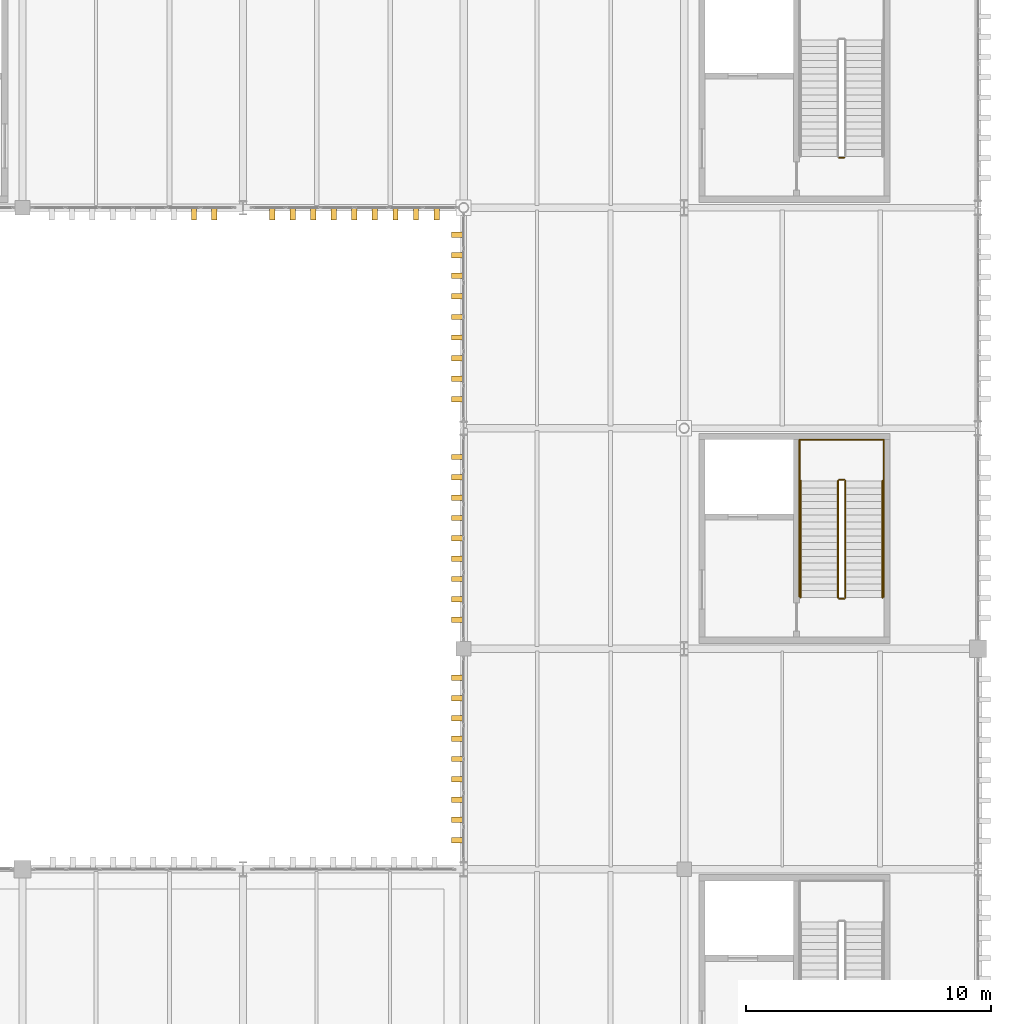
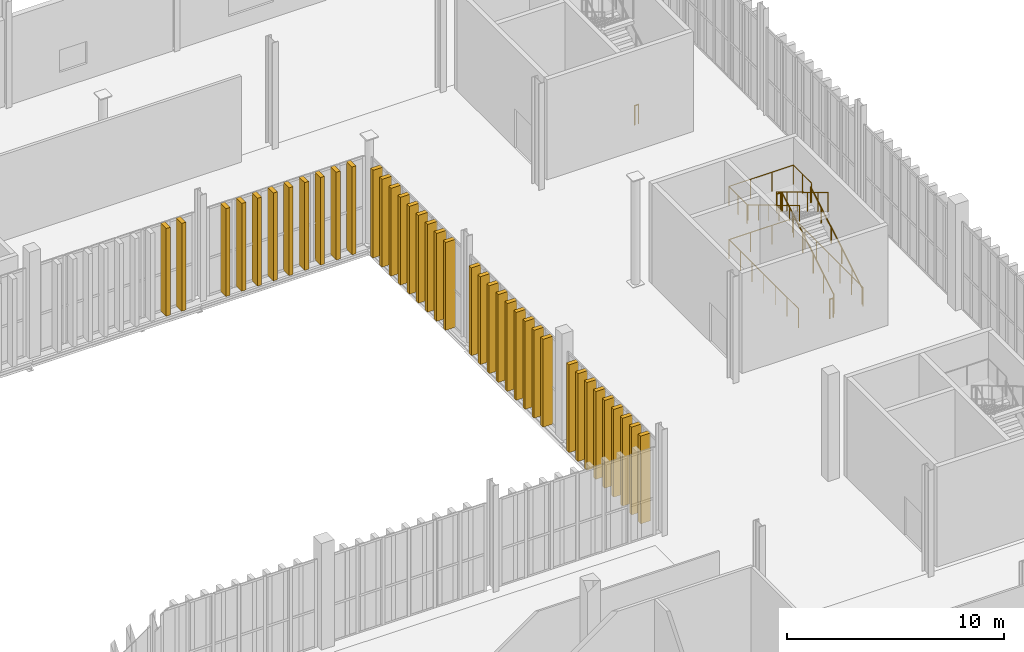
# One storey, part 205 of 211: 38 shading devices, 13 railings.
"""IFC4 building model written with IfcOpenShell, lengths in metres."""

import ifcopenshell
import ifcopenshell.guid

model = None  # the IFC model being written
_history = None  # IfcOwnerHistory: only IFC2X3 demands one
_inside = {}  # id of a spatial element -> (the spatial element, [elements in it])
_under = {}  # id of a project, library or spatial element -> (it, [spatial elements below it])
_declared = {}  # id of a project -> (the project, [libraries it declares])
_typed = {}  # id of a type object -> (the type object, [elements of that type])
_made_of = {}  # id of a material, layer set ... -> (it, [elements and type objects made of it])


def new_model(schema):
    """Start an empty IFC model of exactly this schema.

    Asked for "IFC4X3", IfcOpenShell would pick the latest addendum, in which some entities
    have other attributes; the version numbers below select the first issue.
    IFC2X3 requires an IfcOwnerHistory on every rooted entity: one is made here for all.
    """
    global model, _history
    if schema == "IFC4X3":
        model = ifcopenshell.file(schema_version=(4, 3, 0, 0))
    else:
        model = ifcopenshell.file(schema=schema)
    _inside.clear()
    _under.clear()
    _declared.clear()
    _typed.clear()
    _made_of.clear()
    _history = None
    if model.schema == "IFC2X3":
        org = make("IfcOrganization", Name="unknown")
        user = make(
            "IfcPersonAndOrganization",
            ThePerson=make("IfcPerson", FamilyName="unknown"),
            TheOrganization=org,
        )
        app = make(
            "IfcApplication",
            ApplicationDeveloper=org,
            Version="unknown",
            ApplicationFullName="unknown",
            ApplicationIdentifier="unknown",
        )
        _history = make(
            "IfcOwnerHistory",
            OwningUser=user,
            OwningApplication=app,
            ChangeAction="ADDED",
            CreationDate=0,
        )
    return model


def make(cls, **values):
    """One entity of the class cls with the attributes given. An attribute that is None is left unset."""
    return model.create_entity(
        cls, **{name: value for name, value in values.items() if value is not None}
    )


def rooted(cls, **values):
    """An entity with a GlobalId (a new one), such as an element, a storey or a relation."""
    return make(cls, GlobalId=ifcopenshell.guid.new(), OwnerHistory=_history, **values)


def si_unit(unit_type, name, prefix=None):
    """IfcSIUnit, for example si_unit("LENGTHUNIT", "METRE", prefix="MILLI")."""
    return make("IfcSIUnit", UnitType=unit_type, Prefix=prefix, Name=name)


def assignment(units):
    """IfcUnitAssignment: the units of a project."""
    return None if units is None else make("IfcUnitAssignment", Units=units)


def point(xyz):
    """IfcCartesianPoint."""
    return None if xyz is None else make("IfcCartesianPoint", Coordinates=xyz)


def direction(xyz):
    """IfcDirection."""
    return None if xyz is None else make("IfcDirection", DirectionRatios=xyz)


def frame(location, z_axis=None, x_axis=None):
    """IfcAxis2Placement3D, a coordinate frame: its origin and axes. An axis left out is left unset."""
    return make(
        "IfcAxis2Placement3D",
        Location=point(location),
        Axis=direction(z_axis),
        RefDirection=direction(x_axis),
    )


def frame_2d(location, x_axis=None):
    """IfcAxis2Placement2D, a coordinate frame in the plane: its origin and x axis."""
    return make(
        "IfcAxis2Placement2D", Location=point(location), RefDirection=direction(x_axis)
    )


def origin():
    """The frame at (0, 0, 0) with its axes left unset."""
    return frame((0.0, 0.0, 0.0))


def origin_2d():
    """The frame at (0, 0) in the plane with its x axis left unset."""
    return frame_2d((0.0, 0.0))


def place(relative_to, where):
    """IfcLocalPlacement: puts the frame where relative to a parent placement (None: the world)."""
    return make(
        "IfcLocalPlacement", PlacementRelTo=relative_to, RelativePlacement=where
    )


def context(
    kind, dimensions, precision=None, world=None, true_north=None, identifier=None
):
    """IfcGeometricRepresentationContext, for example the 3D "Model" context."""
    return make(
        "IfcGeometricRepresentationContext",
        ContextIdentifier=identifier,
        ContextType=kind,
        CoordinateSpaceDimension=dimensions,
        Precision=precision,
        WorldCoordinateSystem=world,
        TrueNorth=true_north,
    )


def subcontext(parent, identifier, kind, view, scale=None):
    """IfcGeometricRepresentationSubContext, for example "Body" below "Model"."""
    return make(
        "IfcGeometricRepresentationSubContext",
        ContextIdentifier=identifier,
        ContextType=kind,
        ParentContext=parent,
        TargetScale=scale,
        TargetView=view,
    )


def project(units=None, contexts=None):
    """IfcProject with its units and contexts."""
    return rooted(
        "IfcProject",
        Name="project",
        RepresentationContexts=contexts,
        UnitsInContext=assignment(units),
    )


def spatial(cls, under=None, at=None, **own):
    """A site, building, storey or space (cls), placed at a placement, below another one or the project."""
    s = rooted(cls, ObjectPlacement=at, **own)
    if under is not None:
        _under.setdefault(under.id(), (under, []))[1].append(s)
    return s


def profile(cls, at=None, kind="AREA", **sizes):
    """A parametric profile (cls). Its sizes go by their IFC names, for example OverallWidth=200.0."""
    return make(cls, ProfileType=kind, Position=at, **sizes)


def rectangle(**sizes):
    """IfcRectangleProfileDef."""
    return profile("IfcRectangleProfileDef", **sizes)


def circle(**sizes):
    """IfcCircleProfileDef."""
    return profile("IfcCircleProfileDef", **sizes)


def extrude(swept, where, along, depth):
    """IfcExtrudedAreaSolid: the profile swept, set in the frame where, extruded along a direction by depth."""
    return make(
        "IfcExtrudedAreaSolid",
        SweptArea=swept,
        Position=where,
        ExtrudedDirection=direction(along),
        Depth=depth,
    )


def shape(context_of_items, identifier, shape_type, items):
    """IfcShapeRepresentation: the items that make up one representation, for example the "Body"."""
    return make(
        "IfcShapeRepresentation",
        ContextOfItems=context_of_items,
        RepresentationIdentifier=identifier,
        RepresentationType=shape_type,
        Items=items,
    )


def material(Name=None, Category=None):
    """IfcMaterial."""
    return make("IfcMaterial", Name=Name, Category=Category)


def made_of(thing, what):
    """Note that an element or type object is made of a material, layer set ...; save() writes the relation."""
    if what is not None:
        _made_of.setdefault(what.id(), (what, []))[1].append(thing)
    return thing


def type_object(cls, material=None, **own):
    """A type object (cls), such as IfcWallType, which elements share."""
    return made_of(rooted(cls, **own), material)


def element(
    cls,
    number,
    at=None,
    inside=None,
    cuts=None,
    type_object=None,
    material=None,
    context=None,
    identifier="Body",
    shape_type=None,
    held_by="IfcProductDefinitionShape",
    body=None,
    shapes=None,
    **own,
):
    """One element of the class cls, such as IfcWall. Its Tag is "e" and its number.

    at: its placement. inside: the storey or other place that contains it. cuts: it is an
    opening in that element (IfcRelVoidsElement). A single representation is given by context,
    identifier, shape_type and body (its items); several are given by shapes. held_by: the class
    of the entity that holds the representations. save() writes the other relations.
    """
    e = rooted(cls, Tag="e%d" % number, ObjectPlacement=at, **own)
    if body is not None:
        shapes = [shape(context, identifier, shape_type, body)]
    if shapes is not None:
        e.Representation = make(held_by, Representations=shapes)
    if inside is not None:
        _inside.setdefault(inside.id(), (inside, []))[1].append(e)
    if cuts is not None:
        rooted(
            "IfcRelVoidsElement", RelatingBuildingElement=cuts, RelatedOpeningElement=e
        )
    if type_object is not None:
        _typed.setdefault(type_object.id(), (type_object, []))[1].append(e)
    return made_of(e, material)


def aggregate(whole, parts):
    """IfcRelAggregates: a whole, such as a stair, and the parts it consists of."""
    return rooted("IfcRelAggregates", RelatingObject=whole, RelatedObjects=parts)


def save(model, path):
    """Write the relations noted so far, then the file.

    IfcRelAggregates (storeys below a building ...), IfcRelContainedInSpatialStructure (elements
    in a storey), IfcRelDefinesByType, IfcRelAssociatesMaterial and IfcRelDeclares: one each for
    every whole, place, type object, material and project.
    """
    for whole, parts in _under.values():
        aggregate(whole, parts)
    for where, things in _inside.values():
        rooted(
            "IfcRelContainedInSpatialStructure",
            RelatedElements=things,
            RelatingStructure=where,
        )
    for kind, things in _typed.values():
        rooted("IfcRelDefinesByType", RelatedObjects=things, RelatingType=kind)
    for what, things in _made_of.values():
        rooted("IfcRelAssociatesMaterial", RelatedObjects=things, RelatingMaterial=what)
    for by, libraries in _declared.values():
        rooted("IfcRelDeclares", RelatingContext=by, RelatedDefinitions=libraries)
    model.write(path)


model = new_model("IFC4")

# Units and contexts
model_context = context("Model", 3, precision=1e-05, world=origin(), true_north=direction((0.0, 1.0)))
body_context = subcontext(model_context, "Body", "Model", "MODEL_VIEW")
ifc_project = project(units=[si_unit("LENGTHUNIT", "METRE"), si_unit("AREAUNIT", "SQUARE_METRE"), si_unit("VOLUMEUNIT", "CUBIC_METRE"), si_unit("PLANEANGLEUNIT", "RADIAN"), si_unit("MASSUNIT", "GRAM", prefix="KILO")], contexts=[model_context])

# Site, building, storey
site_placement = place(None, origin())
site = spatial("IfcSite", under=ifc_project, at=site_placement, CompositionType="ELEMENT")
building_placement = place(site_placement, origin())
building = spatial("IfcBuilding", under=site, at=building_placement, Name="Barlavento Convention Centre", CompositionType="ELEMENT")
storey_placement = place(building_placement, frame((0.0, 0.0, 6.0)))
storey = spatial("IfcBuildingStorey", under=building, at=storey_placement, Name="L01", CompositionType="ELEMENT", Elevation=6.0)

# Railings
ifc_material_1 = material(Name="Stainless steel and laminated glass balustrade", Category="steel")
railing_type_1 = type_object("IfcRailingType", Name="ARC-RAL-BAL-1100", PredefinedType="BALUSTRADE", material=ifc_material_1)
railing_1_placement = place(storey_placement, frame((186.580078125, 74.090087890625, 0.166748046875)))
element("IfcRailing", 1, at=railing_1_placement, inside=storey, type_object=railing_type_1, Name="L01 ST07 stair guard 1", PredefinedType="BALUSTRADE", context=body_context, shape_type="SweptSolid", body=[
    extrude(circle(Radius=0.02392578125, at=origin_2d()), frame((0.0, 0.0, 1.076171875), z_axis=(0.0, 0.859299802514, 0.511472237174), x_axis=(-1.0, 0.0, 0.0)), (0.0, 0.0, 1.0), 5.539306640625),
    extrude(circle(Radius=0.02099609375, at=origin_2d()), origin(), (0.0, 0.0, 1.0), 1.052001953125),
    extrude(circle(Radius=0.02099609375, at=origin_2d()), frame((0.0, 0.951904296875, 0.566650390625)), (0.0, 0.0, 1.0), 1.052001953125),
    extrude(circle(Radius=0.02099609375, at=origin_2d()), frame((0.0, 1.904052734375, 1.13330078125)), (0.0, 0.0, 1.0), 1.052001953125),
    extrude(circle(Radius=0.02099609375, at=origin_2d()), frame((0.0, 2.85595703125, 1.699951171875)), (0.0, 0.0, 1.0), 1.052001953125),
    extrude(circle(Radius=0.02099609375, at=origin_2d()), frame((0.0, 3.80810546875, 2.2666015625)), (0.0, 0.0, 1.0), 1.052001953125),
    extrude(circle(Radius=0.02099609375, at=origin_2d()), frame((0.0, 4.760009765625, 2.833251953125)), (0.0, 0.0, 1.0), 1.052001953125),
])
railing_2_placement = place(storey_placement, frame((186.530029296875, 78.89990234375, 3.0)))
element("IfcRailing", 2, at=railing_2_placement, inside=storey, type_object=railing_type_1, Name="L01 ST07 stair guard 2", PredefinedType="BALUSTRADE", context=body_context, shape_type="SweptSolid", body=[
    extrude(circle(Radius=0.02392578125, at=origin_2d()), frame((0.0, 0.0, 1.076171875), z_axis=(-1.0, 0.0, 0.0), x_axis=(0.0, -1.0, 0.0)), (0.0, 0.0, 1.0), 0.199951171875),
    extrude(circle(Radius=0.02099609375, at=origin_2d()), origin(), (0.0, 0.0, 1.0), 1.052001953125),
    extrude(circle(Radius=0.02099609375, at=origin_2d()), frame((-0.199951171875, 0.0, 0.0)), (0.0, 0.0, 1.0), 1.052001953125),
])
railing_3_placement = place(storey_placement, frame((186.280029296875, 78.85009765625, 3.166748046875)))
element("IfcRailing", 3, at=railing_3_placement, inside=storey, type_object=railing_type_1, Name="L01 ST07 stair guard 3", PredefinedType="BALUSTRADE", context=body_context, shape_type="SweptSolid", body=[
    extrude(circle(Radius=0.02392578125, at=origin_2d()), frame((0.0, 0.0, 1.076171875), z_axis=(0.0, -0.859299802514, 0.511472237174), x_axis=(1.0, 0.0, 0.0)), (0.0, 0.0, 1.0), 5.539306640625),
    extrude(circle(Radius=0.02099609375, at=origin_2d()), origin(), (0.0, 0.0, 1.0), 1.052001953125),
    extrude(circle(Radius=0.02099609375, at=origin_2d()), frame((0.0, -0.951904296875, 0.566650390625)), (0.0, 0.0, 1.0), 1.052001953125),
    extrude(circle(Radius=0.02099609375, at=origin_2d()), frame((0.0, -1.904052734375, 1.13330078125)), (0.0, 0.0, 1.0), 1.052001953125),
    extrude(circle(Radius=0.02099609375, at=origin_2d()), frame((0.0, -2.85595703125, 1.699951171875)), (0.0, 0.0, 1.0), 1.052001953125),
    extrude(circle(Radius=0.02099609375, at=origin_2d()), frame((0.0, -3.80810546875, 2.2666015625)), (0.0, 0.0, 1.0), 1.052001953125),
    extrude(circle(Radius=0.02099609375, at=origin_2d()), frame((0.0, -4.760009765625, 2.833251953125)), (0.0, 0.0, 1.0), 1.052001953125),
])
railing_4_placement = place(storey_placement, frame((186.530029296875, 74.0400390625, 0.0)))
element("IfcRailing", 4, at=railing_4_placement, inside=storey, type_object=railing_type_1, Name="L01 ST07 stair guard 4", PredefinedType="BALUSTRADE", context=body_context, shape_type="SweptSolid", body=[
    extrude(circle(Radius=0.02392578125, at=origin_2d()), frame((0.0, 0.0, 1.076171875), z_axis=(-1.0, 0.0, 0.0), x_axis=(0.0, -1.0, 0.0)), (0.0, 0.0, 1.0), 0.199951171875),
    extrude(circle(Radius=0.02099609375, at=origin_2d()), origin(), (0.0, 0.0, 1.0), 1.052001953125),
    extrude(circle(Radius=0.02099609375, at=origin_2d()), frame((-0.199951171875, 0.0, 0.0)), (0.0, 0.0, 1.0), 1.052001953125),
])
for number, where, name in (
    (5, (188.14990234375, 78.85009765625, 3.0), "L01 landing guard GR01"),
    (6, (184.7099609375, 78.85009765625, 3.0), "L01 landing guard GR01"),
):
    element("IfcRailing", number, at=place(storey_placement, frame(where)), inside=storey, type_object=railing_type_1, Name=name, PredefinedType="BALUSTRADE", context=body_context, shape_type="SweptSolid", body=[
        extrude(circle(Radius=0.02392578125, at=origin_2d()), frame((0.0, 0.0, 1.076171875), z_axis=(0.0, 1.0, 0.0), x_axis=(-1.0, 0.0, 0.0)), (0.0, 0.0, 1.0), 1.679931640625),
        extrude(circle(Radius=0.02099609375, at=origin_2d()), origin(), (0.0, 0.0, 1.0), 1.052001953125),
        extrude(circle(Radius=0.02099609375, at=origin_2d()), frame((0.0, 0.83984375, 0.0)), (0.0, 0.0, 1.0), 1.052001953125),
        extrude(circle(Radius=0.02099609375, at=origin_2d()), frame((0.0, 1.679931640625, 0.0)), (0.0, 0.0, 1.0), 1.052001953125),
    ])
railing_5_placement = place(storey_placement, frame((188.14990234375, 80.530029296875, 3.0)))
element("IfcRailing", 7, at=railing_5_placement, inside=storey, type_object=railing_type_1, Name="L01 landing guard GR01", PredefinedType="BALUSTRADE", context=body_context, shape_type="SweptSolid", body=[
    extrude(circle(Radius=0.02392578125, at=origin_2d()), frame((0.0, 0.0, 1.076171875), z_axis=(-1.0, 0.0, 0.0), x_axis=(0.0, -1.0, 0.0)), (0.0, 0.0, 1.0), 3.43994140625),
    extrude(circle(Radius=0.02099609375, at=origin_2d()), origin(), (0.0, 0.0, 1.0), 1.052001953125),
    extrude(circle(Radius=0.02099609375, at=origin_2d()), frame((-1.146728515625, 0.0, 0.0)), (0.0, 0.0, 1.0), 1.052001953125),
    extrude(circle(Radius=0.02099609375, at=origin_2d()), frame((-2.293212890625, 0.0, 0.0)), (0.0, 0.0, 1.0), 1.052001953125),
    extrude(circle(Radius=0.02099609375, at=origin_2d()), frame((-3.43994140625, 0.0, 0.0)), (0.0, 0.0, 1.0), 1.052001953125),
])
railing_6_placement = place(storey_placement, frame((188.14990234375, 74.114990234375, 0.0)))
element("IfcRailing", 8, at=railing_6_placement, inside=storey, type_object=railing_type_1, Name="L01 stairwell perimeter guard GR01", PredefinedType="BALUSTRADE", context=body_context, shape_type="SweptSolid", body=[
    extrude(circle(Radius=0.02392578125, at=origin_2d()), frame((0.0, 0.0, 1.076171875), z_axis=(0.0, 1.0, 0.0), x_axis=(-1.0, 0.0, 0.0)), (0.0, 0.0, 1.0), 6.4150390625),
    extrude(circle(Radius=0.02099609375, at=origin_2d()), origin(), (0.0, 0.0, 1.0), 1.052001953125),
    extrude(circle(Radius=0.02099609375, at=origin_2d()), frame((0.0, 1.069091796875, 0.0)), (0.0, 0.0, 1.0), 1.052001953125),
    extrude(circle(Radius=0.02099609375, at=origin_2d()), frame((0.0, 2.138427734375, 0.0)), (0.0, 0.0, 1.0), 1.052001953125),
    extrude(circle(Radius=0.02099609375, at=origin_2d()), frame((0.0, 3.20751953125, 0.0)), (0.0, 0.0, 1.0), 1.052001953125),
    extrude(circle(Radius=0.02099609375, at=origin_2d()), frame((0.0, 4.276611328125, 0.0)), (0.0, 0.0, 1.0), 1.052001953125),
    extrude(circle(Radius=0.02099609375, at=origin_2d()), frame((0.0, 5.345947265625, 0.0)), (0.0, 0.0, 1.0), 1.052001953125),
    extrude(circle(Radius=0.02099609375, at=origin_2d()), frame((0.0, 6.4150390625, 0.0)), (0.0, 0.0, 1.0), 1.052001953125),
])
railing_7_placement = place(storey_placement, frame((188.14990234375, 80.530029296875, 0.0)))
element("IfcRailing", 9, at=railing_7_placement, inside=storey, type_object=railing_type_1, Name="L01 stairwell perimeter guard GR01", PredefinedType="BALUSTRADE", context=body_context, shape_type="SweptSolid", body=[
    extrude(circle(Radius=0.02392578125, at=origin_2d()), frame((0.0, 0.0, 1.076171875), z_axis=(-1.0, 0.0, 0.0), x_axis=(0.0, -1.0, 0.0)), (0.0, 0.0, 1.0), 3.43994140625),
    extrude(circle(Radius=0.02099609375, at=origin_2d()), origin(), (0.0, 0.0, 1.0), 1.052001953125),
    extrude(circle(Radius=0.02099609375, at=origin_2d()), frame((-1.146728515625, 0.0, 0.0)), (0.0, 0.0, 1.0), 1.052001953125),
    extrude(circle(Radius=0.02099609375, at=origin_2d()), frame((-2.293212890625, 0.0, 0.0)), (0.0, 0.0, 1.0), 1.052001953125),
    extrude(circle(Radius=0.02099609375, at=origin_2d()), frame((-3.43994140625, 0.0, 0.0)), (0.0, 0.0, 1.0), 1.052001953125),
])
railing_8_placement = place(storey_placement, frame((184.7099609375, 80.530029296875, 0.0)))
element("IfcRailing", 10, at=railing_8_placement, inside=storey, type_object=railing_type_1, Name="L01 stairwell perimeter guard GR01", PredefinedType="BALUSTRADE", context=body_context, shape_type="SweptSolid", body=[
    extrude(circle(Radius=0.02392578125, at=origin_2d()), frame((0.0, 0.0, 1.076171875), z_axis=(0.0, -1.0, 0.0), x_axis=(1.0, 0.0, 0.0)), (0.0, 0.0, 1.0), 6.4150390625),
    extrude(circle(Radius=0.02099609375, at=origin_2d()), origin(), (0.0, 0.0, 1.0), 1.052001953125),
    extrude(circle(Radius=0.02099609375, at=origin_2d()), frame((0.0, -1.069091796875, 0.0)), (0.0, 0.0, 1.0), 1.052001953125),
    extrude(circle(Radius=0.02099609375, at=origin_2d()), frame((0.0, -2.138427734375, 0.0)), (0.0, 0.0, 1.0), 1.052001953125),
    extrude(circle(Radius=0.02099609375, at=origin_2d()), frame((0.0, -3.20751953125, 0.0)), (0.0, 0.0, 1.0), 1.052001953125),
    extrude(circle(Radius=0.02099609375, at=origin_2d()), frame((0.0, -4.276611328125, 0.0)), (0.0, 0.0, 1.0), 1.052001953125),
    extrude(circle(Radius=0.02099609375, at=origin_2d()), frame((0.0, -5.345947265625, 0.0)), (0.0, 0.0, 1.0), 1.052001953125),
    extrude(circle(Radius=0.02099609375, at=origin_2d()), frame((0.0, -6.4150390625, 0.0)), (0.0, 0.0, 1.0), 1.052001953125),
])
railing_9_placement = place(storey_placement, frame((186.530029296875, 92.0400390625, 0.0)))
element("IfcRailing", 11, at=railing_9_placement, inside=storey, type_object=railing_type_1, Name="L01 ST08 stair guard 4", PredefinedType="BALUSTRADE", context=body_context, shape_type="SweptSolid", body=[
    extrude(circle(Radius=0.02392578125, at=origin_2d()), frame((0.0, 0.0, 1.076171875), z_axis=(-1.0, 0.0, 0.0), x_axis=(0.0, -1.0, 0.0)), (0.0, 0.0, 1.0), 0.199951171875),
    extrude(circle(Radius=0.02099609375, at=origin_2d()), origin(), (0.0, 0.0, 1.0), 1.052001953125),
    extrude(circle(Radius=0.02099609375, at=origin_2d()), frame((-0.199951171875, 0.0, 0.0)), (0.0, 0.0, 1.0), 1.052001953125),
])
ifc_material_2 = material(Name="Brushed stainless steel tubular handrail", Category="steel")
railing_type_2 = type_object("IfcRailingType", Name="ARC-RAL-HR-900", PredefinedType="HANDRAIL", material=ifc_material_2)
railing_10_placement = place(storey_placement, frame((188.10009765625, 74.090087890625, 0.166748046875)))
element("IfcRailing", 12, at=railing_10_placement, inside=storey, type_object=railing_type_2, Name="L01 ST07 stair handrail 1", PredefinedType="HANDRAIL", context=body_context, shape_type="SweptSolid", body=[
    extrude(circle(Radius=0.02392578125, at=origin_2d()), frame((0.0, 0.0, 0.8759765625), z_axis=(0.0, 0.859299802514, 0.511472237174), x_axis=(-1.0, 0.0, 0.0)), (0.0, 0.0, 1.0), 5.539306640625),
    extrude(circle(Radius=0.02099609375, at=origin_2d()), origin(), (0.0, 0.0, 1.0), 0.851806640625),
    extrude(circle(Radius=0.02099609375, at=origin_2d()), frame((0.0, 0.951904296875, 0.566650390625)), (0.0, 0.0, 1.0), 0.851806640625),
    extrude(circle(Radius=0.02099609375, at=origin_2d()), frame((0.0, 1.904052734375, 1.13330078125)), (0.0, 0.0, 1.0), 0.851806640625),
    extrude(circle(Radius=0.02099609375, at=origin_2d()), frame((0.0, 2.85595703125, 1.699951171875)), (0.0, 0.0, 1.0), 0.851806640625),
    extrude(circle(Radius=0.02099609375, at=origin_2d()), frame((0.0, 3.80810546875, 2.2666015625)), (0.0, 0.0, 1.0), 0.851806640625),
    extrude(circle(Radius=0.02099609375, at=origin_2d()), frame((0.0, 4.760009765625, 2.833251953125)), (0.0, 0.0, 1.0), 0.851806640625),
])
railing_11_placement = place(storey_placement, frame((184.760009765625, 78.85009765625, 3.166748046875)))
element("IfcRailing", 13, at=railing_11_placement, inside=storey, type_object=railing_type_2, Name="L01 ST07 stair handrail 2", PredefinedType="HANDRAIL", context=body_context, shape_type="SweptSolid", body=[
    extrude(circle(Radius=0.02392578125, at=origin_2d()), frame((0.0, 0.0, 0.8759765625), z_axis=(0.0, -0.859299802514, 0.511472237174), x_axis=(1.0, 0.0, 0.0)), (0.0, 0.0, 1.0), 5.539306640625),
    extrude(circle(Radius=0.02099609375, at=origin_2d()), origin(), (0.0, 0.0, 1.0), 0.851806640625),
    extrude(circle(Radius=0.02099609375, at=origin_2d()), frame((0.0, -0.951904296875, 0.566650390625)), (0.0, 0.0, 1.0), 0.851806640625),
    extrude(circle(Radius=0.02099609375, at=origin_2d()), frame((0.0, -1.904052734375, 1.13330078125)), (0.0, 0.0, 1.0), 0.851806640625),
    extrude(circle(Radius=0.02099609375, at=origin_2d()), frame((0.0, -2.85595703125, 1.699951171875)), (0.0, 0.0, 1.0), 0.851806640625),
    extrude(circle(Radius=0.02099609375, at=origin_2d()), frame((0.0, -3.80810546875, 2.2666015625)), (0.0, 0.0, 1.0), 0.851806640625),
    extrude(circle(Radius=0.02099609375, at=origin_2d()), frame((0.0, -4.760009765625, 2.833251953125)), (0.0, 0.0, 1.0), 0.851806640625),
])

# Shading devices
ifc_material_3 = material(Name="PVDF white extruded aluminium", Category="aluminium")
shading_device_type = type_object("IfcShadingDeviceType", Name="ARC-SHD-FIN-480", PredefinedType="USERDEFINED", material=ifc_material_3)
for number, where, z_axis, x_axis, name in (
    (14, (159.9951171875, 89.760009765625, 0.0), (0.0, 0.0, 1.0), (1.0, 0.0, 0.0), "White vertical solar shading fin VF01"),
    (15, (160.82470703125, 89.760009765625, 0.0), (0.0, 0.0, 1.0), (1.0, 0.0, 0.0), "White vertical solar shading fin VF01"),
    (16, (163.18505859375, 89.760009765625, 0.0), (0.0, 0.0, 1.0), (1.0, 0.0, 0.0), "White vertical solar shading fin VF01"),
    (17, (164.024169921875, 89.760009765625, 0.0), (0.0, 0.0, 1.0), (1.0, 0.0, 0.0), "White vertical solar shading fin VF01"),
    (18, (164.86328125, 89.760009765625, 0.0), (0.0, 0.0, 1.0), (1.0, 0.0, 0.0), "White vertical solar shading fin VF01"),
    (19, (165.702392578125, 89.760009765625, 0.0), (0.0, 0.0, 1.0), (1.0, 0.0, 0.0), "White vertical solar shading fin VF01"),
    (20, (166.54150390625, 89.760009765625, 0.0), (0.0, 0.0, 1.0), (1.0, 0.0, 0.0), "White vertical solar shading fin VF01"),
    (21, (167.380615234375, 89.760009765625, 0.0), (0.0, 0.0, 1.0), (1.0, 0.0, 0.0), "White vertical solar shading fin VF01"),
    (22, (168.219482421875, 89.760009765625, 0.0), (0.0, 0.0, 1.0), (1.0, 0.0, 0.0), "White vertical solar shading fin VF01"),
    (23, (169.05859375, 89.760009765625, 0.0), (0.0, 0.0, 1.0), (1.0, 0.0, 0.0), "White vertical solar shading fin VF01"),
    (24, (169.897705078125, 89.760009765625, 0.0), (0.0, 0.0, 1.0), (1.0, 0.0, 0.0), "White vertical solar shading fin VF01"),
    (25, (170.760009765625, 64.18798828125, 0.0), (0.0, 0.0, 1.0), (0.0, 1.0, 0.0), "White vertical solar shading fin VF01"),
    (26, (170.760009765625, 65.01611328125, 0.0), (0.0, 0.0, 1.0), (0.0, 1.0, 0.0), "White vertical solar shading fin VF01"),
    (27, (170.760009765625, 65.843994140625, 0.0), (0.0, 0.0, 1.0), (0.0, 1.0, 0.0), "White vertical solar shading fin VF01"),
    (28, (170.760009765625, 66.672119140625, 0.0), (0.0, 0.0, 1.0), (0.0, 1.0, 0.0), "White vertical solar shading fin VF01"),
    (29, (170.760009765625, 67.5, 0.0), (0.0, 0.0, 1.0), (0.0, 1.0, 0.0), "White vertical solar shading fin VF01"),
    (30, (170.760009765625, 68.327880859375, 0.0), (0.0, 0.0, 1.0), (0.0, 1.0, 0.0), "White vertical solar shading fin VF01"),
    (31, (170.760009765625, 69.156005859375, 0.0), (0.0, 0.0, 1.0), (0.0, 1.0, 0.0), "White vertical solar shading fin VF01"),
    (32, (170.760009765625, 69.98388671875, 0.0), (0.0, 0.0, 1.0), (0.0, 1.0, 0.0), "White vertical solar shading fin VF01"),
    (33, (170.760009765625, 70.81201171875, 0.0), (0.0, 0.0, 1.0), (0.0, 1.0, 0.0), "White vertical solar shading fin VF01"),
    (34, (170.760009765625, 73.189453125, 0.0), (0.0, 0.0, 1.0), (0.0, 1.0, 0.0), "White vertical solar shading fin VF01"),
    (35, (170.760009765625, 74.018798828125, 0.0), (0.0, 0.0, 1.0), (0.0, 1.0, 0.0), "White vertical solar shading fin VF01"),
    (36, (170.760009765625, 74.84814453125, 0.0), (0.0, 0.0, 1.0), (0.0, 1.0, 0.0), "White vertical solar shading fin VF01"),
    (37, (170.760009765625, 75.677490234375, 0.0), (0.0, 0.0, 1.0), (0.0, 1.0, 0.0), "White vertical solar shading fin VF01"),
    (38, (170.760009765625, 76.507080078125, 0.0), (0.0, 0.0, 1.0), (0.0, 1.0, 0.0), "White vertical solar shading fin VF01"),
    (39, (170.760009765625, 77.33642578125, 0.0), (0.0, 0.0, 1.0), (0.0, 1.0, 0.0), "White vertical solar shading fin VF01"),
    (40, (170.760009765625, 78.165771484375, 0.0), (0.0, 0.0, 1.0), (0.0, 1.0, 0.0), "White vertical solar shading fin VF01"),
    (41, (170.760009765625, 78.9951171875, 0.0), (0.0, 0.0, 1.0), (0.0, 1.0, 0.0), "White vertical solar shading fin VF01"),
    (42, (170.760009765625, 79.82470703125, 0.0), (0.0, 0.0, 1.0), (0.0, 1.0, 0.0), "White vertical solar shading fin VF01"),
    (43, (170.760009765625, 82.18505859375, 0.0), (0.0, 0.0, 1.0), (0.0, 1.0, 0.0), "White vertical solar shading fin VF01"),
    (44, (170.760009765625, 83.024169921875, 0.0), (0.0, 0.0, 1.0), (0.0, 1.0, 0.0), "White vertical solar shading fin VF01"),
    (45, (170.760009765625, 83.86328125, 0.0), (0.0, 0.0, 1.0), (0.0, 1.0, 0.0), "White vertical solar shading fin VF01"),
    (46, (170.760009765625, 84.702392578125, 0.0), (0.0, 0.0, 1.0), (0.0, 1.0, 0.0), "White vertical solar shading fin VF01"),
    (47, (170.760009765625, 85.54150390625, 0.0), (0.0, 0.0, 1.0), (0.0, 1.0, 0.0), "White vertical solar shading fin VF01"),
    (48, (170.760009765625, 86.380615234375, 0.0), (0.0, 0.0, 1.0), (0.0, 1.0, 0.0), "White vertical solar shading fin VF01"),
    (49, (170.760009765625, 87.219482421875, 0.0), (0.0, 0.0, 1.0), (0.0, 1.0, 0.0), "White vertical solar shading fin VF01"),
    (50, (170.760009765625, 88.05859375, 0.0), (0.0, 0.0, 1.0), (0.0, 1.0, 0.0), "White vertical solar shading fin VF01"),
    (51, (170.760009765625, 88.897705078125, 0.0), (0.0, 0.0, 1.0), (0.0, 1.0, 0.0), "White vertical solar shading fin VF01"),
):
    element("IfcShadingDevice", number, at=place(storey_placement, frame(where, z_axis=z_axis, x_axis=x_axis)), inside=storey, type_object=shading_device_type, Name=name, ObjectType="FIN", PredefinedType="USERDEFINED", context=body_context, shape_type="SweptSolid", body=[
        extrude(rectangle(XDim=0.219970703125, YDim=0.52001953125, at=origin_2d()), origin(), (0.0, 0.0, 1.0), 4.949951171875),
    ])

save(model, "model.ifc")
